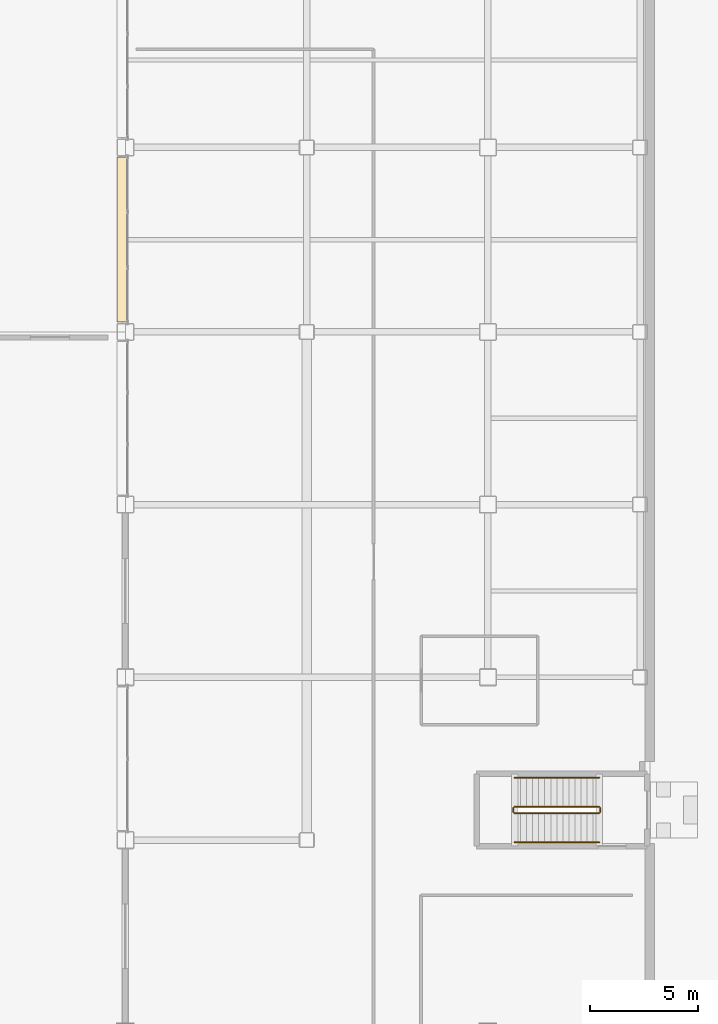
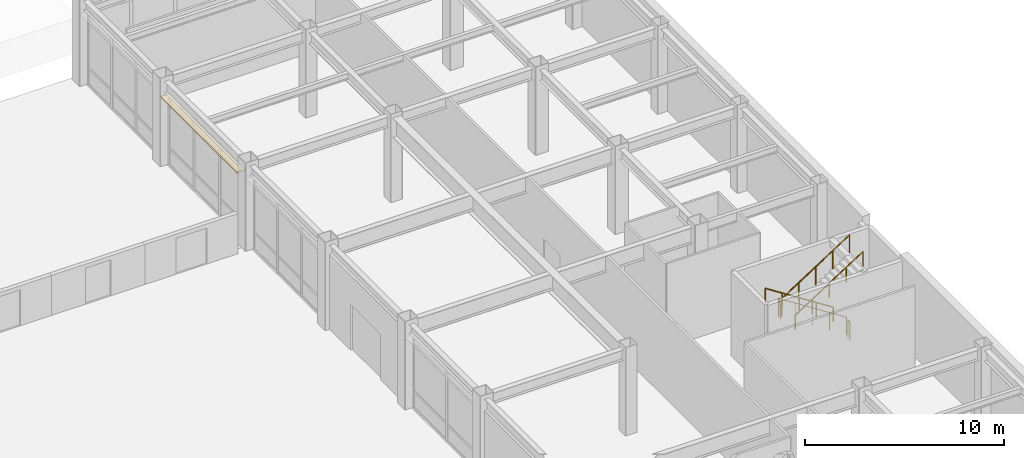
# One storey, part 164 of 165: 6 railings, 1 covering.
"""IFC4 building model written with IfcOpenShell, lengths in metres."""

import ifcopenshell
import ifcopenshell.guid

model = None  # the IFC model being written
_history = None  # IfcOwnerHistory: only IFC2X3 demands one
_inside = {}  # id of a spatial element -> (the spatial element, [elements in it])
_under = {}  # id of a project, library or spatial element -> (it, [spatial elements below it])
_declared = {}  # id of a project -> (the project, [libraries it declares])
_typed = {}  # id of a type object -> (the type object, [elements of that type])
_made_of = {}  # id of a material, layer set ... -> (it, [elements and type objects made of it])


def new_model(schema):
    """Start an empty IFC model of exactly this schema.

    Asked for "IFC4X3", IfcOpenShell would pick the latest addendum, in which some entities
    have other attributes; the version numbers below select the first issue.
    IFC2X3 requires an IfcOwnerHistory on every rooted entity: one is made here for all.
    """
    global model, _history
    if schema == "IFC4X3":
        model = ifcopenshell.file(schema_version=(4, 3, 0, 0))
    else:
        model = ifcopenshell.file(schema=schema)
    _inside.clear()
    _under.clear()
    _declared.clear()
    _typed.clear()
    _made_of.clear()
    _history = None
    if model.schema == "IFC2X3":
        org = make("IfcOrganization", Name="unknown")
        user = make(
            "IfcPersonAndOrganization",
            ThePerson=make("IfcPerson", FamilyName="unknown"),
            TheOrganization=org,
        )
        app = make(
            "IfcApplication",
            ApplicationDeveloper=org,
            Version="unknown",
            ApplicationFullName="unknown",
            ApplicationIdentifier="unknown",
        )
        _history = make(
            "IfcOwnerHistory",
            OwningUser=user,
            OwningApplication=app,
            ChangeAction="ADDED",
            CreationDate=0,
        )
    return model


def make(cls, **values):
    """One entity of the class cls with the attributes given. An attribute that is None is left unset."""
    return model.create_entity(
        cls, **{name: value for name, value in values.items() if value is not None}
    )


def rooted(cls, **values):
    """An entity with a GlobalId (a new one), such as an element, a storey or a relation."""
    return make(cls, GlobalId=ifcopenshell.guid.new(), OwnerHistory=_history, **values)


def si_unit(unit_type, name, prefix=None):
    """IfcSIUnit, for example si_unit("LENGTHUNIT", "METRE", prefix="MILLI")."""
    return make("IfcSIUnit", UnitType=unit_type, Prefix=prefix, Name=name)


def assignment(units):
    """IfcUnitAssignment: the units of a project."""
    return None if units is None else make("IfcUnitAssignment", Units=units)


def point(xyz):
    """IfcCartesianPoint."""
    return None if xyz is None else make("IfcCartesianPoint", Coordinates=xyz)


def direction(xyz):
    """IfcDirection."""
    return None if xyz is None else make("IfcDirection", DirectionRatios=xyz)


def frame(location, z_axis=None, x_axis=None):
    """IfcAxis2Placement3D, a coordinate frame: its origin and axes. An axis left out is left unset."""
    return make(
        "IfcAxis2Placement3D",
        Location=point(location),
        Axis=direction(z_axis),
        RefDirection=direction(x_axis),
    )


def frame_2d(location, x_axis=None):
    """IfcAxis2Placement2D, a coordinate frame in the plane: its origin and x axis."""
    return make(
        "IfcAxis2Placement2D", Location=point(location), RefDirection=direction(x_axis)
    )


def origin():
    """The frame at (0, 0, 0) with its axes left unset."""
    return frame((0.0, 0.0, 0.0))


def origin_2d():
    """The frame at (0, 0) in the plane with its x axis left unset."""
    return frame_2d((0.0, 0.0))


def place(relative_to, where):
    """IfcLocalPlacement: puts the frame where relative to a parent placement (None: the world)."""
    return make(
        "IfcLocalPlacement", PlacementRelTo=relative_to, RelativePlacement=where
    )


def context(
    kind, dimensions, precision=None, world=None, true_north=None, identifier=None
):
    """IfcGeometricRepresentationContext, for example the 3D "Model" context."""
    return make(
        "IfcGeometricRepresentationContext",
        ContextIdentifier=identifier,
        ContextType=kind,
        CoordinateSpaceDimension=dimensions,
        Precision=precision,
        WorldCoordinateSystem=world,
        TrueNorth=true_north,
    )


def subcontext(parent, identifier, kind, view, scale=None):
    """IfcGeometricRepresentationSubContext, for example "Body" below "Model"."""
    return make(
        "IfcGeometricRepresentationSubContext",
        ContextIdentifier=identifier,
        ContextType=kind,
        ParentContext=parent,
        TargetScale=scale,
        TargetView=view,
    )


def project(units=None, contexts=None):
    """IfcProject with its units and contexts."""
    return rooted(
        "IfcProject",
        Name="project",
        RepresentationContexts=contexts,
        UnitsInContext=assignment(units),
    )


def spatial(cls, under=None, at=None, **own):
    """A site, building, storey or space (cls), placed at a placement, below another one or the project."""
    s = rooted(cls, ObjectPlacement=at, **own)
    if under is not None:
        _under.setdefault(under.id(), (under, []))[1].append(s)
    return s


def profile(cls, at=None, kind="AREA", **sizes):
    """A parametric profile (cls). Its sizes go by their IFC names, for example OverallWidth=200.0."""
    return make(cls, ProfileType=kind, Position=at, **sizes)


def rectangle(**sizes):
    """IfcRectangleProfileDef."""
    return profile("IfcRectangleProfileDef", **sizes)


def circle(**sizes):
    """IfcCircleProfileDef."""
    return profile("IfcCircleProfileDef", **sizes)


def extrude(swept, where, along, depth):
    """IfcExtrudedAreaSolid: the profile swept, set in the frame where, extruded along a direction by depth."""
    return make(
        "IfcExtrudedAreaSolid",
        SweptArea=swept,
        Position=where,
        ExtrudedDirection=direction(along),
        Depth=depth,
    )


def shape(context_of_items, identifier, shape_type, items):
    """IfcShapeRepresentation: the items that make up one representation, for example the "Body"."""
    return make(
        "IfcShapeRepresentation",
        ContextOfItems=context_of_items,
        RepresentationIdentifier=identifier,
        RepresentationType=shape_type,
        Items=items,
    )


def material(Name=None, Category=None):
    """IfcMaterial."""
    return make("IfcMaterial", Name=Name, Category=Category)


def layer(
    of_material, thickness, ventilated=None, Name=None, Category=None, Priority=None
):
    """IfcMaterialLayer: one layer of a wall or slab, of a material (None: an air gap)."""
    return make(
        "IfcMaterialLayer",
        Material=of_material,
        LayerThickness=thickness,
        IsVentilated=ventilated,
        Name=Name,
        Category=Category,
        Priority=Priority,
    )


def layer_set(layers, Name=None):
    """IfcMaterialLayerSet."""
    return make("IfcMaterialLayerSet", MaterialLayers=layers, LayerSetName=Name)


def made_of(thing, what):
    """Note that an element or type object is made of a material, layer set ...; save() writes the relation."""
    if what is not None:
        _made_of.setdefault(what.id(), (what, []))[1].append(thing)
    return thing


def type_object(cls, material=None, **own):
    """A type object (cls), such as IfcWallType, which elements share."""
    return made_of(rooted(cls, **own), material)


def element(
    cls,
    number,
    at=None,
    inside=None,
    cuts=None,
    type_object=None,
    material=None,
    context=None,
    identifier="Body",
    shape_type=None,
    held_by="IfcProductDefinitionShape",
    body=None,
    shapes=None,
    **own,
):
    """One element of the class cls, such as IfcWall. Its Tag is "e" and its number.

    at: its placement. inside: the storey or other place that contains it. cuts: it is an
    opening in that element (IfcRelVoidsElement). A single representation is given by context,
    identifier, shape_type and body (its items); several are given by shapes. held_by: the class
    of the entity that holds the representations. save() writes the other relations.
    """
    e = rooted(cls, Tag="e%d" % number, ObjectPlacement=at, **own)
    if body is not None:
        shapes = [shape(context, identifier, shape_type, body)]
    if shapes is not None:
        e.Representation = make(held_by, Representations=shapes)
    if inside is not None:
        _inside.setdefault(inside.id(), (inside, []))[1].append(e)
    if cuts is not None:
        rooted(
            "IfcRelVoidsElement", RelatingBuildingElement=cuts, RelatedOpeningElement=e
        )
    if type_object is not None:
        _typed.setdefault(type_object.id(), (type_object, []))[1].append(e)
    return made_of(e, material)


def aggregate(whole, parts):
    """IfcRelAggregates: a whole, such as a stair, and the parts it consists of."""
    return rooted("IfcRelAggregates", RelatingObject=whole, RelatedObjects=parts)


def save(model, path):
    """Write the relations noted so far, then the file.

    IfcRelAggregates (storeys below a building ...), IfcRelContainedInSpatialStructure (elements
    in a storey), IfcRelDefinesByType, IfcRelAssociatesMaterial and IfcRelDeclares: one each for
    every whole, place, type object, material and project.
    """
    for whole, parts in _under.values():
        aggregate(whole, parts)
    for where, things in _inside.values():
        rooted(
            "IfcRelContainedInSpatialStructure",
            RelatedElements=things,
            RelatingStructure=where,
        )
    for kind, things in _typed.values():
        rooted("IfcRelDefinesByType", RelatedObjects=things, RelatingType=kind)
    for what, things in _made_of.values():
        rooted("IfcRelAssociatesMaterial", RelatedObjects=things, RelatingMaterial=what)
    for by, libraries in _declared.values():
        rooted("IfcRelDeclares", RelatingContext=by, RelatedDefinitions=libraries)
    model.write(path)


model = new_model("IFC4")

# Units and contexts
model_context = context("Model", 3, precision=1e-05, world=origin(), true_north=direction((0.0, 1.0)))
body_context = subcontext(model_context, "Body", "Model", "MODEL_VIEW")
ifc_project = project(units=[si_unit("LENGTHUNIT", "METRE"), si_unit("AREAUNIT", "SQUARE_METRE"), si_unit("VOLUMEUNIT", "CUBIC_METRE"), si_unit("PLANEANGLEUNIT", "RADIAN"), si_unit("MASSUNIT", "GRAM", prefix="KILO")], contexts=[model_context])

# Site, building, storey
site_placement = place(None, origin())
site = spatial("IfcSite", under=ifc_project, at=site_placement, CompositionType="ELEMENT")
building_placement = place(site_placement, origin())
building = spatial("IfcBuilding", under=site, at=building_placement, Name="Kazehara Bluff Congress Hotel", CompositionType="ELEMENT")
storey_placement = place(building_placement, origin())
storey = spatial("IfcBuildingStorey", under=building, at=storey_placement, Name="L00", CompositionType="ELEMENT", Elevation=0.0)

# Covering
ifc_material_1 = material(Name="Anodised aluminium architectural brise-soleil", Category="aluminium")
ifc_layer = layer(ifc_material_1, 0.10009765625)
ifc_layer_set = layer_set([ifc_layer], Name="Anodised aluminium architectural brise-soleil")
covering_type = type_object("IfcCoveringType", Name="TP-FAC-FIN", PredefinedType="CLADDING", material=ifc_layer_set)
covering_placement = place(storey_placement, frame((143.56005859375, 101.175048828125, 4.2548828125), z_axis=(0.0, 0.0, 1.0), x_axis=(1.0, 0.0, 0.0)))
element("IfcCovering", 1, at=covering_placement, inside=storey, type_object=covering_type, Name="L00 V5 architectural sun-hood 28", PredefinedType="CLADDING", context=body_context, shape_type="SweptSolid", body=[
    extrude(rectangle(XDim=0.52001953125, YDim=7.64990234375, at=origin_2d()), origin(), (0.0, 0.0, 1.0), 0.10009765625),
])

# Railings
ifc_material_2 = material(Name="Brushed stainless steel", Category="steel")
railing_type_1 = type_object("IfcRailingType", Name="TP-GRD-INT", PredefinedType="GUARDRAIL", material=ifc_material_2)
railing_1_placement = place(storey_placement, frame((165.64990234375, 74.89990234375, 0.179931640625)))
element("IfcRailing", 2, at=railing_1_placement, inside=storey, type_object=railing_type_1, Name="L00 ST-12 stair guard 1", PredefinedType="GUARDRAIL", context=body_context, shape_type="SweptSolid", body=[
    extrude(circle(Radius=0.02392578125, at=origin_2d()), frame((0.0, 0.0, 1.076171875), z_axis=(-0.841171666519, 0.0, 0.540768182723), x_axis=(0.0, -1.0, 0.0)), (0.0, 0.0, 1.0), 4.66015625),
    extrude(circle(Radius=0.02099609375, at=origin_2d()), origin(), (0.0, 0.0, 1.0), 1.052001953125),
    extrude(circle(Radius=0.02099609375, at=origin_2d()), frame((-0.97998046875, 0.0, 0.6298828125)), (0.0, 0.0, 1.0), 1.052001953125),
    extrude(circle(Radius=0.02099609375, at=origin_2d()), frame((-1.9599609375, 0.0, 1.260009765625)), (0.0, 0.0, 1.0), 1.052001953125),
    extrude(circle(Radius=0.02099609375, at=origin_2d()), frame((-2.93994140625, 0.0, 1.89013671875)), (0.0, 0.0, 1.0), 1.052001953125),
    extrude(circle(Radius=0.02099609375, at=origin_2d()), frame((-3.919921875, 0.0, 2.52001953125)), (0.0, 0.0, 1.0), 1.052001953125),
])
railing_2_placement = place(storey_placement, frame((161.679931640625, 74.85009765625, 2.699951171875)))
element("IfcRailing", 3, at=railing_2_placement, inside=storey, type_object=railing_type_1, Name="L00 ST-12 stair guard 2", PredefinedType="GUARDRAIL", context=body_context, shape_type="SweptSolid", body=[
    extrude(circle(Radius=0.02392578125, at=origin_2d()), frame((0.0, 0.0, 1.076171875), z_axis=(0.0, -1.0, 0.0), x_axis=(1.0, 0.0, 0.0)), (0.0, 0.0, 1.0), 0.2001953125),
    extrude(circle(Radius=0.02099609375, at=origin_2d()), origin(), (0.0, 0.0, 1.0), 1.052001953125),
    extrude(circle(Radius=0.02099609375, at=origin_2d()), frame((0.0, -0.2001953125, 0.0)), (0.0, 0.0, 1.0), 1.052001953125),
])
railing_3_placement = place(storey_placement, frame((161.72998046875, 74.60009765625, 2.8798828125)))
element("IfcRailing", 4, at=railing_3_placement, inside=storey, type_object=railing_type_1, Name="L00 ST-12 stair guard 3", PredefinedType="GUARDRAIL", context=body_context, shape_type="SweptSolid", body=[
    extrude(circle(Radius=0.02392578125, at=origin_2d()), frame((0.0, 0.0, 1.076171875), z_axis=(0.841171666519, 0.0, 0.540768182723), x_axis=(0.0, 1.0, 0.0)), (0.0, 0.0, 1.0), 4.66015625),
    extrude(circle(Radius=0.02099609375, at=origin_2d()), origin(), (0.0, 0.0, 1.0), 1.052001953125),
    extrude(circle(Radius=0.02099609375, at=origin_2d()), frame((0.97998046875, 0.0, 0.6298828125)), (0.0, 0.0, 1.0), 1.052001953125),
    extrude(circle(Radius=0.02099609375, at=origin_2d()), frame((1.9599609375, 0.0, 1.260009765625)), (0.0, 0.0, 1.0), 1.052001953125),
    extrude(circle(Radius=0.02099609375, at=origin_2d()), frame((2.93994140625, 0.0, 1.89013671875)), (0.0, 0.0, 1.0), 1.052001953125),
    extrude(circle(Radius=0.02099609375, at=origin_2d()), frame((3.919921875, 0.0, 2.52001953125)), (0.0, 0.0, 1.0), 1.052001953125),
])
railing_4_placement = place(storey_placement, frame((165.699951171875, 74.85009765625, 0.0)))
element("IfcRailing", 5, at=railing_4_placement, inside=storey, type_object=railing_type_1, Name="L00 ST-12 stair guard 4", PredefinedType="GUARDRAIL", context=body_context, shape_type="SweptSolid", body=[
    extrude(circle(Radius=0.02392578125, at=origin_2d()), frame((0.0, 0.0, 1.076171875), z_axis=(0.0, -1.0, 0.0), x_axis=(1.0, 0.0, 0.0)), (0.0, 0.0, 1.0), 0.2001953125),
    extrude(circle(Radius=0.02099609375, at=origin_2d()), origin(), (0.0, 0.0, 1.0), 1.052001953125),
    extrude(circle(Radius=0.02099609375, at=origin_2d()), frame((0.0, -0.2001953125, 0.0)), (0.0, 0.0, 1.0), 1.052001953125),
])
ifc_material_3 = material(Name="Brushed stainless steel", Category="steel")
railing_type_2 = type_object("IfcRailingType", Name="TP-HR-INT", PredefinedType="HANDRAIL", material=ifc_material_3)
railing_5_placement = place(storey_placement, frame((165.64990234375, 76.25, 0.179931640625)))
element("IfcRailing", 6, at=railing_5_placement, inside=storey, type_object=railing_type_2, Name="L00 ST-12 stair handrail 1", PredefinedType="HANDRAIL", context=body_context, shape_type="SweptSolid", body=[
    extrude(circle(Radius=0.02392578125, at=origin_2d()), frame((0.0, 0.0, 0.8759765625), z_axis=(-0.841171666519, 0.0, 0.540768182723), x_axis=(0.0, -1.0, 0.0)), (0.0, 0.0, 1.0), 4.66015625),
    extrude(circle(Radius=0.02099609375, at=origin_2d()), origin(), (0.0, 0.0, 1.0), 0.851806640625),
    extrude(circle(Radius=0.02099609375, at=origin_2d()), frame((-0.97998046875, 0.0, 0.6298828125)), (0.0, 0.0, 1.0), 0.851806640625),
    extrude(circle(Radius=0.02099609375, at=origin_2d()), frame((-1.9599609375, 0.0, 1.260009765625)), (0.0, 0.0, 1.0), 0.851806640625),
    extrude(circle(Radius=0.02099609375, at=origin_2d()), frame((-2.93994140625, 0.0, 1.89013671875)), (0.0, 0.0, 1.0), 0.851806640625),
    extrude(circle(Radius=0.02099609375, at=origin_2d()), frame((-3.919921875, 0.0, 2.52001953125)), (0.0, 0.0, 1.0), 0.851806640625),
])
railing_6_placement = place(storey_placement, frame((161.72998046875, 73.25, 2.8798828125)))
element("IfcRailing", 7, at=railing_6_placement, inside=storey, type_object=railing_type_2, Name="L00 ST-12 stair handrail 2", PredefinedType="HANDRAIL", context=body_context, shape_type="SweptSolid", body=[
    extrude(circle(Radius=0.02392578125, at=origin_2d()), frame((0.0, 0.0, 0.8759765625), z_axis=(0.841171666519, 0.0, 0.540768182723), x_axis=(0.0, 1.0, 0.0)), (0.0, 0.0, 1.0), 4.66015625),
    extrude(circle(Radius=0.02099609375, at=origin_2d()), origin(), (0.0, 0.0, 1.0), 0.851806640625),
    extrude(circle(Radius=0.02099609375, at=origin_2d()), frame((0.97998046875, 0.0, 0.6298828125)), (0.0, 0.0, 1.0), 0.851806640625),
    extrude(circle(Radius=0.02099609375, at=origin_2d()), frame((1.9599609375, 0.0, 1.260009765625)), (0.0, 0.0, 1.0), 0.851806640625),
    extrude(circle(Radius=0.02099609375, at=origin_2d()), frame((2.93994140625, 0.0, 1.89013671875)), (0.0, 0.0, 1.0), 0.851806640625),
    extrude(circle(Radius=0.02099609375, at=origin_2d()), frame((3.919921875, 0.0, 2.52001953125)), (0.0, 0.0, 1.0), 0.851806640625),
])

save(model, "model.ifc")
